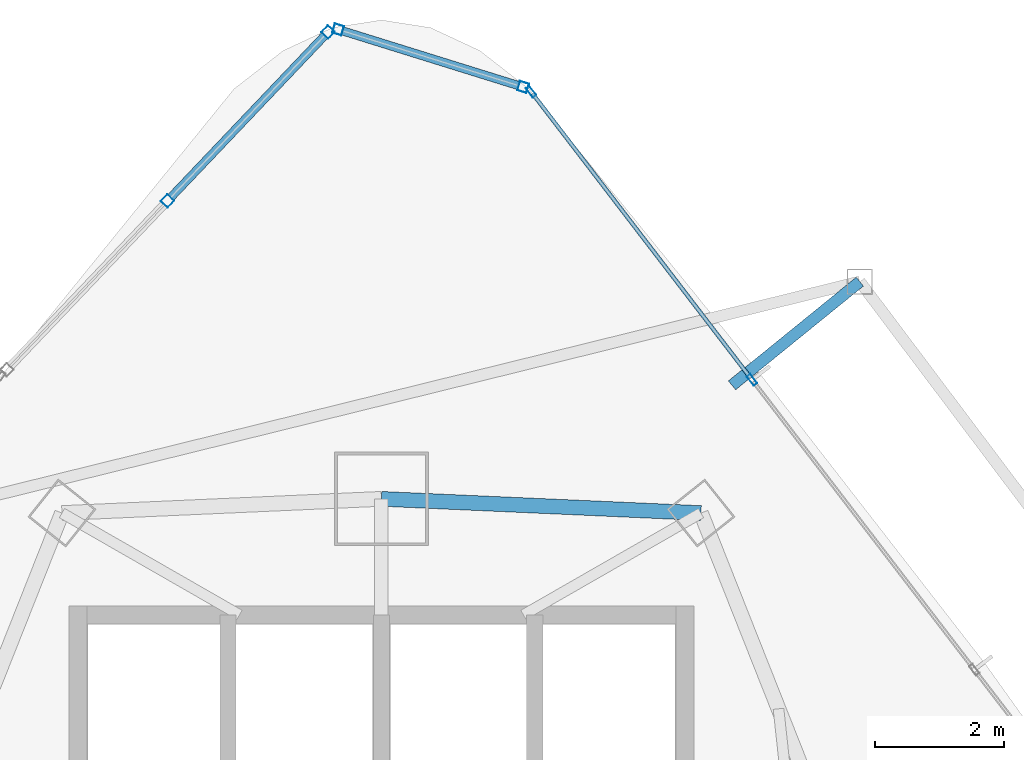
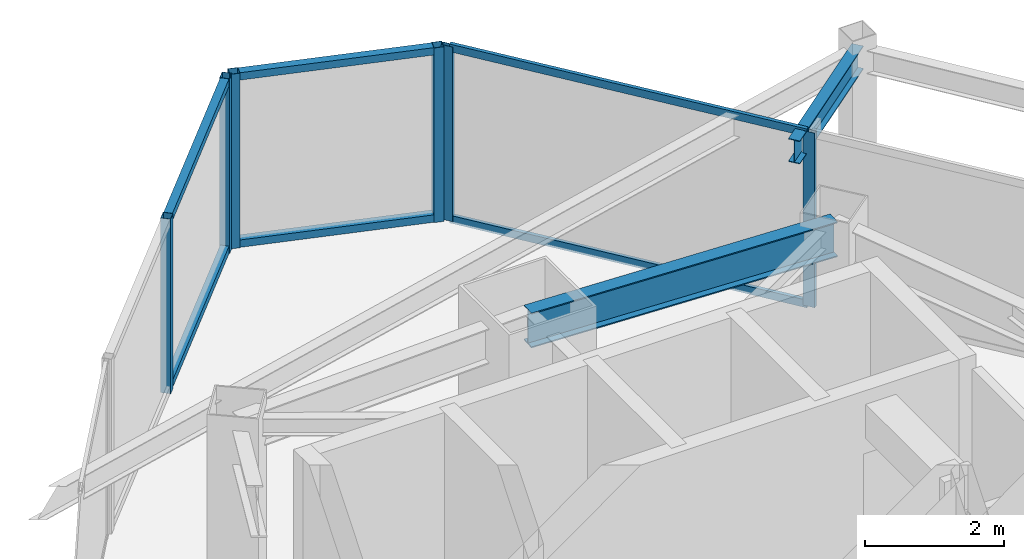
# One storey, part 22 of 30: 12 members, 2 beams, 3 elements without a shape of their own.
"""IFC4 building model written with IfcOpenShell, lengths in metres."""

import ifcopenshell
import ifcopenshell.guid

model = None  # the IFC model being written
_history = None  # IfcOwnerHistory: only IFC2X3 demands one
_inside = {}  # id of a spatial element -> (the spatial element, [elements in it])
_under = {}  # id of a project, library or spatial element -> (it, [spatial elements below it])
_declared = {}  # id of a project -> (the project, [libraries it declares])
_typed = {}  # id of a type object -> (the type object, [elements of that type])
_made_of = {}  # id of a material, layer set ... -> (it, [elements and type objects made of it])


def new_model(schema):
    """Start an empty IFC model of exactly this schema.

    Asked for "IFC4X3", IfcOpenShell would pick the latest addendum, in which some entities
    have other attributes; the version numbers below select the first issue.
    IFC2X3 requires an IfcOwnerHistory on every rooted entity: one is made here for all.
    """
    global model, _history
    if schema == "IFC4X3":
        model = ifcopenshell.file(schema_version=(4, 3, 0, 0))
    else:
        model = ifcopenshell.file(schema=schema)
    _inside.clear()
    _under.clear()
    _declared.clear()
    _typed.clear()
    _made_of.clear()
    _history = None
    if model.schema == "IFC2X3":
        org = make("IfcOrganization", Name="unknown")
        user = make(
            "IfcPersonAndOrganization",
            ThePerson=make("IfcPerson", FamilyName="unknown"),
            TheOrganization=org,
        )
        app = make(
            "IfcApplication",
            ApplicationDeveloper=org,
            Version="unknown",
            ApplicationFullName="unknown",
            ApplicationIdentifier="unknown",
        )
        _history = make(
            "IfcOwnerHistory",
            OwningUser=user,
            OwningApplication=app,
            ChangeAction="ADDED",
            CreationDate=0,
        )
    return model


def make(cls, **values):
    """One entity of the class cls with the attributes given. An attribute that is None is left unset."""
    return model.create_entity(
        cls, **{name: value for name, value in values.items() if value is not None}
    )


def rooted(cls, **values):
    """An entity with a GlobalId (a new one), such as an element, a storey or a relation."""
    return make(cls, GlobalId=ifcopenshell.guid.new(), OwnerHistory=_history, **values)


def si_unit(unit_type, name, prefix=None):
    """IfcSIUnit, for example si_unit("LENGTHUNIT", "METRE", prefix="MILLI")."""
    return make("IfcSIUnit", UnitType=unit_type, Prefix=prefix, Name=name)


def assignment(units):
    """IfcUnitAssignment: the units of a project."""
    return None if units is None else make("IfcUnitAssignment", Units=units)


def point(xyz):
    """IfcCartesianPoint."""
    return None if xyz is None else make("IfcCartesianPoint", Coordinates=xyz)


def direction(xyz):
    """IfcDirection."""
    return None if xyz is None else make("IfcDirection", DirectionRatios=xyz)


def frame(location, z_axis=None, x_axis=None):
    """IfcAxis2Placement3D, a coordinate frame: its origin and axes. An axis left out is left unset."""
    return make(
        "IfcAxis2Placement3D",
        Location=point(location),
        Axis=direction(z_axis),
        RefDirection=direction(x_axis),
    )


def frame_2d(location, x_axis=None):
    """IfcAxis2Placement2D, a coordinate frame in the plane: its origin and x axis."""
    return make(
        "IfcAxis2Placement2D", Location=point(location), RefDirection=direction(x_axis)
    )


def origin():
    """The frame at (0, 0, 0) with its axes left unset."""
    return frame((0.0, 0.0, 0.0))


def origin_2d():
    """The frame at (0, 0) in the plane with its x axis left unset."""
    return frame_2d((0.0, 0.0))


def place(relative_to, where):
    """IfcLocalPlacement: puts the frame where relative to a parent placement (None: the world)."""
    return make(
        "IfcLocalPlacement", PlacementRelTo=relative_to, RelativePlacement=where
    )


def context(
    kind, dimensions, precision=None, world=None, true_north=None, identifier=None
):
    """IfcGeometricRepresentationContext, for example the 3D "Model" context."""
    return make(
        "IfcGeometricRepresentationContext",
        ContextIdentifier=identifier,
        ContextType=kind,
        CoordinateSpaceDimension=dimensions,
        Precision=precision,
        WorldCoordinateSystem=world,
        TrueNorth=true_north,
    )


def subcontext(parent, identifier, kind, view, scale=None):
    """IfcGeometricRepresentationSubContext, for example "Body" below "Model"."""
    return make(
        "IfcGeometricRepresentationSubContext",
        ContextIdentifier=identifier,
        ContextType=kind,
        ParentContext=parent,
        TargetScale=scale,
        TargetView=view,
    )


def project(units=None, contexts=None):
    """IfcProject with its units and contexts."""
    return rooted(
        "IfcProject",
        Name="project",
        RepresentationContexts=contexts,
        UnitsInContext=assignment(units),
    )


def spatial(cls, under=None, at=None, **own):
    """A site, building, storey or space (cls), placed at a placement, below another one or the project."""
    s = rooted(cls, ObjectPlacement=at, **own)
    if under is not None:
        _under.setdefault(under.id(), (under, []))[1].append(s)
    return s


def profile(cls, at=None, kind="AREA", **sizes):
    """A parametric profile (cls). Its sizes go by their IFC names, for example OverallWidth=200.0."""
    return make(cls, ProfileType=kind, Position=at, **sizes)


def hollow_rectangle(**sizes):
    """IfcRectangleHollowProfileDef."""
    return profile("IfcRectangleHollowProfileDef", **sizes)


def i_section(**sizes):
    """IfcIShapeProfileDef."""
    return profile("IfcIShapeProfileDef", **sizes)


def extrude(swept, where, along, depth):
    """IfcExtrudedAreaSolid: the profile swept, set in the frame where, extruded along a direction by depth."""
    return make(
        "IfcExtrudedAreaSolid",
        SweptArea=swept,
        Position=where,
        ExtrudedDirection=direction(along),
        Depth=depth,
    )


def shape(context_of_items, identifier, shape_type, items):
    """IfcShapeRepresentation: the items that make up one representation, for example the "Body"."""
    return make(
        "IfcShapeRepresentation",
        ContextOfItems=context_of_items,
        RepresentationIdentifier=identifier,
        RepresentationType=shape_type,
        Items=items,
    )


def material(Name=None, Category=None):
    """IfcMaterial."""
    return make("IfcMaterial", Name=Name, Category=Category)


def layer(
    of_material, thickness, ventilated=None, Name=None, Category=None, Priority=None
):
    """IfcMaterialLayer: one layer of a wall or slab, of a material (None: an air gap)."""
    return make(
        "IfcMaterialLayer",
        Material=of_material,
        LayerThickness=thickness,
        IsVentilated=ventilated,
        Name=Name,
        Category=Category,
        Priority=Priority,
    )


def layer_set(layers, Name=None):
    """IfcMaterialLayerSet."""
    return make("IfcMaterialLayerSet", MaterialLayers=layers, LayerSetName=Name)


def material_profile(
    of_material, cross_section, Name=None, Category=None, Priority=None
):
    """IfcMaterialProfile: a cross section and its material."""
    return make(
        "IfcMaterialProfile",
        Name=Name,
        Material=of_material,
        Profile=cross_section,
        Priority=Priority,
        Category=Category,
    )


def profile_set(profiles, Name=None, composite=None):
    """IfcMaterialProfileSet."""
    return make(
        "IfcMaterialProfileSet",
        Name=Name,
        MaterialProfiles=profiles,
        CompositeProfile=composite,
    )


def made_of(thing, what):
    """Note that an element or type object is made of a material, layer set ...; save() writes the relation."""
    if what is not None:
        _made_of.setdefault(what.id(), (what, []))[1].append(thing)
    return thing


def type_object(cls, material=None, **own):
    """A type object (cls), such as IfcWallType, which elements share."""
    return made_of(rooted(cls, **own), material)


def element(
    cls,
    number,
    at=None,
    inside=None,
    cuts=None,
    type_object=None,
    material=None,
    context=None,
    identifier="Body",
    shape_type=None,
    held_by="IfcProductDefinitionShape",
    body=None,
    shapes=None,
    **own,
):
    """One element of the class cls, such as IfcWall. Its Tag is "e" and its number.

    at: its placement. inside: the storey or other place that contains it. cuts: it is an
    opening in that element (IfcRelVoidsElement). A single representation is given by context,
    identifier, shape_type and body (its items); several are given by shapes. held_by: the class
    of the entity that holds the representations. save() writes the other relations.
    """
    e = rooted(cls, Tag="e%d" % number, ObjectPlacement=at, **own)
    if body is not None:
        shapes = [shape(context, identifier, shape_type, body)]
    if shapes is not None:
        e.Representation = make(held_by, Representations=shapes)
    if inside is not None:
        _inside.setdefault(inside.id(), (inside, []))[1].append(e)
    if cuts is not None:
        rooted(
            "IfcRelVoidsElement", RelatingBuildingElement=cuts, RelatedOpeningElement=e
        )
    if type_object is not None:
        _typed.setdefault(type_object.id(), (type_object, []))[1].append(e)
    return made_of(e, material)


def aggregate(whole, parts):
    """IfcRelAggregates: a whole, such as a stair, and the parts it consists of."""
    return rooted("IfcRelAggregates", RelatingObject=whole, RelatedObjects=parts)


def save(model, path):
    """Write the relations noted so far, then the file.

    IfcRelAggregates (storeys below a building ...), IfcRelContainedInSpatialStructure (elements
    in a storey), IfcRelDefinesByType, IfcRelAssociatesMaterial and IfcRelDeclares: one each for
    every whole, place, type object, material and project.
    """
    for whole, parts in _under.values():
        aggregate(whole, parts)
    for where, things in _inside.values():
        rooted(
            "IfcRelContainedInSpatialStructure",
            RelatedElements=things,
            RelatingStructure=where,
        )
    for kind, things in _typed.values():
        rooted("IfcRelDefinesByType", RelatedObjects=things, RelatingType=kind)
    for what, things in _made_of.values():
        rooted("IfcRelAssociatesMaterial", RelatedObjects=things, RelatingMaterial=what)
    for by, libraries in _declared.values():
        rooted("IfcRelDeclares", RelatingContext=by, RelatedDefinitions=libraries)
    model.write(path)


model = new_model("IFC4")

# Units and contexts
model_context = context("Model", 3, precision=1e-05, world=origin(), true_north=direction((0.0, 1.0)))
body_context = subcontext(model_context, "Body", "Model", "MODEL_VIEW")
ifc_project = project(units=[si_unit("LENGTHUNIT", "METRE"), si_unit("AREAUNIT", "SQUARE_METRE"), si_unit("VOLUMEUNIT", "CUBIC_METRE"), si_unit("PLANEANGLEUNIT", "RADIAN"), si_unit("MASSUNIT", "GRAM", prefix="KILO")], contexts=[model_context])

# Site, building, storey
site_placement = place(None, origin())
site = spatial("IfcSite", under=ifc_project, at=site_placement, CompositionType="ELEMENT")
building_placement = place(site_placement, origin())
building = spatial("IfcBuilding", under=site, at=building_placement, Name="Orvanel Arch Residences", CompositionType="ELEMENT")
storey_placement = place(building_placement, frame((0.0, 0.0, 139.699951171875)))
storey = spatial("IfcBuildingStorey", under=building, at=storey_placement, Name="L39", CompositionType="ELEMENT", Elevation=139.699951171875)

# Curtain wall, members
ifc_material_1 = material(Name="Bronze-anodised aluminium AA6063-T6", Category="aluminium")
ifc_layer_1 = layer(ifc_material_1, 0.18994140625)
ifc_layer_set_1 = layer_set([ifc_layer_1], Name="Bronze-anodised aluminium AA6063-T6")
curtain_wall_type_1 = type_object("IfcCurtainWallType", Name="CW5-CRN-SYS", PredefinedType="NOTDEFINED", material=ifc_layer_set_1)
curtain_wall_1_placement = place(storey_placement, origin())
curtain_wall_1 = element("IfcCurtainWall", 1, at=curtain_wall_1_placement, inside=storey, type_object=curtain_wall_type_1, Name="L39 CW5-CRN-SYS Unitised Curtain Wall", PredefinedType="NOTDEFINED")
ifc_material_profile_1 = material_profile(ifc_material_1, hollow_rectangle(XDim=0.14990234375, YDim=0.14990234375, WallThickness=0.0048828125, at=origin_2d()), Name="ALU150x150x5")
ifc_profile_set_1 = profile_set([ifc_material_profile_1], Name="Bronze-anodised aluminium AA6063-T6")
member_type_1 = type_object("IfcMemberType", Name="MUL-150x150", PredefinedType="MULLION", material=ifc_profile_set_1)
member_1_placement = place(storey_placement, frame((35.1943359375, 47.7783203125, 0.0), z_axis=(0.0, 0.0, 1.0), x_axis=(-0.297027974658, -0.954868777514, 0.0)))
member_1 = element("IfcMember", 2, at=member_1_placement, type_object=member_type_1, Name="CW-S5 mullion 1", PredefinedType="MULLION", context=body_context, shape_type="SweptSolid", body=[
    extrude(hollow_rectangle(XDim=0.14990234375, YDim=0.14990234375, WallThickness=0.0048828125, at=origin_2d()), origin(), (0.0, 0.0, 1.0), 3.06005859375),
])
member_2_placement = place(storey_placement, frame((32.32861328125, 48.669677734375, 0.0), z_axis=(0.0, 0.0, 1.0), x_axis=(-0.297027974658, -0.954868777514, 0.0)))
member_2 = element("IfcMember", 3, at=member_2_placement, type_object=member_type_1, Name="CW-S5 mullion 2", PredefinedType="MULLION", context=body_context, shape_type="SweptSolid", body=[
    extrude(hollow_rectangle(XDim=0.14990234375, YDim=0.14990234375, WallThickness=0.0048828125, at=origin_2d()), origin(), (0.0, 0.0, 1.0), 3.06005859375),
])

curtain_wall_2_placement = place(storey_placement, origin())
curtain_wall_2 = element("IfcCurtainWall", 4, at=curtain_wall_2_placement, inside=storey, type_object=curtain_wall_type_1, Name="L39 CW5-CRN-SYS Unitised Curtain Wall", PredefinedType="NOTDEFINED")
member_3_placement = place(storey_placement, frame((32.17236328125, 48.629638671875, 0.0), z_axis=(0.0, 0.0, 1.0), x_axis=(0.724586146342, -0.689184239902, 0.0)))
member_3 = element("IfcMember", 5, at=member_3_placement, type_object=member_type_1, Name="CW-S5 mullion 1", PredefinedType="MULLION", context=body_context, shape_type="SweptSolid", body=[
    extrude(hollow_rectangle(XDim=0.14990234375, YDim=0.14990234375, WallThickness=0.0048828125, at=origin_2d()), origin(), (0.0, 0.0, 1.0), 3.06005859375),
])
member_4_placement = place(storey_placement, frame((29.68359375, 46.012939453125, 0.0), z_axis=(0.0, 0.0, 1.0), x_axis=(0.724586146342, -0.689184239902, 0.0)))
member_4 = element("IfcMember", 6, at=member_4_placement, type_object=member_type_1, Name="CW-S5 mullion 2", PredefinedType="MULLION", context=body_context, shape_type="SweptSolid", body=[
    extrude(hollow_rectangle(XDim=0.14990234375, YDim=0.14990234375, WallThickness=0.0048828125, at=origin_2d()), origin(), (0.0, 0.0, 1.0), 3.06005859375),
])

ifc_layer_2 = layer(ifc_material_1, 0.179931640625)
ifc_layer_set_2 = layer_set([ifc_layer_2], Name="Bronze-anodised aluminium AA6063-T6")
curtain_wall_type_2 = type_object("IfcCurtainWallType", Name="CW3-MID-SYS", PredefinedType="NOTDEFINED", material=ifc_layer_set_2)
curtain_wall_3_placement = place(storey_placement, origin())
curtain_wall_3 = element("IfcCurtainWall", 7, at=curtain_wall_3_placement, inside=storey, type_object=curtain_wall_type_2, Name="L39 CW3-MID-SYS Unitised Curtain Wall", PredefinedType="NOTDEFINED")
ifc_material_profile_2 = material_profile(ifc_material_1, hollow_rectangle(XDim=0.070068359375, YDim=0.179931640625, WallThickness=0.00439453125, at=origin_2d()), Name="ALU180x70x4.5")
ifc_profile_set_2 = profile_set([ifc_material_profile_2], Name="Bronze-anodised aluminium AA6063-T6")
member_type_2 = type_object("IfcMemberType", Name="MUL-180x70", PredefinedType="MULLION", material=ifc_profile_set_2)
member_5_placement = place(storey_placement, frame((38.741455078125, 43.242431640625, 0.0), z_axis=(0.0, 0.0, 1.0), x_axis=(-0.793544747169, -0.608511901478, 0.0)))
member_5 = element("IfcMember", 8, at=member_5_placement, type_object=member_type_2, Name="CW-S3 mullion 3", PredefinedType="MULLION", context=body_context, shape_type="SweptSolid", body=[
    extrude(hollow_rectangle(XDim=0.070068359375, YDim=0.179931640625, WallThickness=0.00439453125, at=origin_2d()), origin(), (0.0, 0.0, 1.0), 3.06005859375),
])
member_6_placement = place(storey_placement, frame((35.318359375, 47.706298828125, 0.0), z_axis=(0.0, 0.0, 1.0), x_axis=(-0.793544747169, -0.608511901478, 0.0)))
member_6 = element("IfcMember", 9, at=member_6_placement, type_object=member_type_2, Name="CW-S3 mullion 4", PredefinedType="MULLION", context=body_context, shape_type="SweptSolid", body=[
    extrude(hollow_rectangle(XDim=0.070068359375, YDim=0.179931640625, WallThickness=0.00439453125, at=origin_2d()), origin(), (0.0, 0.0, 1.0), 3.06005859375),
])

# Beams
ifc_material_2 = material(Name="Structural steel AS/NZS 3679.1 Grade 300 (300 MPa)", Category="steel")
ifc_material_profile_3 = material_profile(ifc_material_2, i_section(OverallWidth=0.177978515625, OverallDepth=0.406005859375, WebThickness=0.0078125, FlangeThickness=0.0126953125, at=origin_2d()), Name="410UB59.7")
ifc_profile_set_3 = profile_set([ifc_material_profile_3], Name="Structural steel AS/NZS 3679.1 Grade 300 (300 MPa)")
beam_type_1 = type_object("IfcBeamType", Name="OB-410UB-EXT", PredefinedType="SPANDREL", material=ifc_profile_set_3)
beam_1_placement = place(storey_placement, frame((38.430908203125, 43.156982421875, 2.85693359375), z_axis=(0.776646847124, 0.629936246657, 0.0), x_axis=(-0.629936246657, 0.776646847124, 0.0)))
element("IfcBeam", 10, at=beam_1_placement, inside=storey, type_object=beam_type_1, Name="L39 Outer Frame Radial Tie Beam 12", PredefinedType="SPANDREL", context=body_context, shape_type="SweptSolid", body=[
    extrude(i_section(OverallWidth=0.177978515625, OverallDepth=0.406005859375, WebThickness=0.0078125, FlangeThickness=0.0126953125, at=origin_2d()), origin(), (0.0, 0.0, 1.0), 2.54931640625),
])
ifc_material_profile_4 = material_profile(ifc_material_2, i_section(OverallWidth=0.22900390625, OverallDepth=0.612060546875, WebThickness=0.011962890625, FlangeThickness=0.01953125, at=origin_2d()), Name="610UB125")
ifc_profile_set_4 = profile_set([ifc_material_profile_4], Name="Structural steel AS/NZS 3679.1 Grade 300 (300 MPa)")
beam_type_2 = type_object("IfcBeamType", Name="SP-610UB", PredefinedType="SPANDREL", material=ifc_profile_set_4)
beam_2_placement = place(storey_placement, frame((37.949951171875, 41.177978515625, 2.754150390625), z_axis=(-0.999014049296, 0.044395149614, 0.0), x_axis=(-0.044395149614, -0.999014049296, 0.0)))
element("IfcBeam", 11, at=beam_2_placement, inside=storey, type_object=beam_type_2, Name="L39 Perimeter Spandrel Beam 14", PredefinedType="SPANDREL", context=body_context, shape_type="SweptSolid", body=[
    extrude(i_section(OverallWidth=0.22900390625, OverallDepth=0.612060546875, WebThickness=0.011962890625, FlangeThickness=0.01953125, at=origin_2d()), origin(), (0.0, 0.0, 1.0), 4.954833984375),
])

# Member
ifc_material_profile_5 = material_profile(ifc_material_1, hollow_rectangle(XDim=0.1298828125, YDim=0.1298828125, WallThickness=0.00439453125, at=origin_2d()), Name="ALU130x130x4.5")
ifc_profile_set_5 = profile_set([ifc_material_profile_5], Name="Bronze-anodised aluminium AA6063-T6")
member_type_3 = type_object("IfcMemberType", Name="TRN-130x130", PredefinedType="USERDEFINED", material=ifc_profile_set_5)
member_7_placement = place(storey_placement, frame((35.122802734375, 47.800537109375, 0.06494140625), z_axis=(-0.954869189117, 0.297026651457, 0.0), x_axis=(-0.297026651457, -0.954869189117, 0.0)))
member_7 = element("IfcMember", 12, at=member_7_placement, type_object=member_type_3, Name="CW-S5 transom 1.1", ObjectType="TRANSOM", PredefinedType="USERDEFINED", context=body_context, shape_type="SweptSolid", body=[
    extrude(hollow_rectangle(XDim=0.1298828125, YDim=0.1298828125, WallThickness=0.00439453125, at=origin_2d()), origin(), (0.0, 0.0, 1.0), 2.851318359375),
])

member_8_placement = place(storey_placement, frame((35.122802734375, 47.800537109375, 2.9951171875), z_axis=(-0.954869189117, 0.297026651457, 0.0), x_axis=(-0.297026651457, -0.954869189117, 0.0)))
member_8 = element("IfcMember", 13, at=member_8_placement, type_object=member_type_3, Name="CW-S5 transom 1.2", ObjectType="TRANSOM", PredefinedType="USERDEFINED", context=body_context, shape_type="SweptSolid", body=[
    extrude(hollow_rectangle(XDim=0.1298828125, YDim=0.1298828125, WallThickness=0.00439453125, at=origin_2d()), origin(), (0.0, 0.0, 1.0), 2.851318359375),
])

aggregate(curtain_wall_1, [member_1, member_2, member_7, member_8])

member_9_placement = place(storey_placement, frame((32.12060546875, 48.5751953125, 0.06494140625), z_axis=(-0.689216475563, -0.724555484289, 0.0), x_axis=(0.724555484289, -0.689216475563, 0.0)))
member_9 = element("IfcMember", 14, at=member_9_placement, type_object=member_type_3, Name="CW-S5 transom 1.1", ObjectType="TRANSOM", PredefinedType="USERDEFINED", context=body_context, shape_type="SweptSolid", body=[
    extrude(hollow_rectangle(XDim=0.1298828125, YDim=0.1298828125, WallThickness=0.00439453125, at=origin_2d()), origin(), (0.0, 0.0, 1.0), 3.461181640625),
])

member_10_placement = place(storey_placement, frame((32.12060546875, 48.5751953125, 2.9951171875), z_axis=(-0.689216475563, -0.724555484289, 0.0), x_axis=(0.724555484289, -0.689216475563, 0.0)))
member_10 = element("IfcMember", 15, at=member_10_placement, type_object=member_type_3, Name="CW-S5 transom 1.2", ObjectType="TRANSOM", PredefinedType="USERDEFINED", context=body_context, shape_type="SweptSolid", body=[
    extrude(hollow_rectangle(XDim=0.1298828125, YDim=0.1298828125, WallThickness=0.00439453125, at=origin_2d()), origin(), (0.0, 0.0, 1.0), 3.461181640625),
])

aggregate(curtain_wall_2, [member_3, member_4, member_9, member_10])

ifc_material_profile_6 = material_profile(ifc_material_1, hollow_rectangle(XDim=0.06005859375, YDim=0.135009765625, WallThickness=0.00390625, at=origin_2d()), Name="ALU135x60x4")
ifc_profile_set_6 = profile_set([ifc_material_profile_6], Name="Bronze-anodised aluminium AA6063-T6")
member_type_4 = type_object("IfcMemberType", Name="TRN-135x60", PredefinedType="USERDEFINED", material=ifc_profile_set_6)
member_11_placement = place(storey_placement, frame((38.719970703125, 43.27001953125, 0.030029296875), z_axis=(-0.608495202332, 0.793557552254, 0.0), x_axis=(-0.793557552254, -0.608495202332, 0.0)))
member_11 = element("IfcMember", 16, at=member_11_placement, type_object=member_type_4, Name="CW-S3 transom 3.1", ObjectType="TRANSOM", PredefinedType="USERDEFINED", context=body_context, shape_type="SweptSolid", body=[
    extrude(hollow_rectangle(XDim=0.06005859375, YDim=0.135009765625, WallThickness=0.00390625, at=origin_2d()), origin(), (0.0, 0.0, 1.0), 5.55517578125),
])

member_12_placement = place(storey_placement, frame((38.719970703125, 43.27001953125, 3.030029296875), z_axis=(-0.608495202332, 0.793557552254, 0.0), x_axis=(-0.793557552254, -0.608495202332, 0.0)))
member_12 = element("IfcMember", 17, at=member_12_placement, type_object=member_type_4, Name="CW-S3 transom 3.2", ObjectType="TRANSOM", PredefinedType="USERDEFINED", context=body_context, shape_type="SweptSolid", body=[
    extrude(hollow_rectangle(XDim=0.06005859375, YDim=0.135009765625, WallThickness=0.00390625, at=origin_2d()), origin(), (0.0, 0.0, 1.0), 5.55517578125),
])

aggregate(curtain_wall_3, [member_5, member_6, member_11, member_12])

save(model, "model.ifc")
